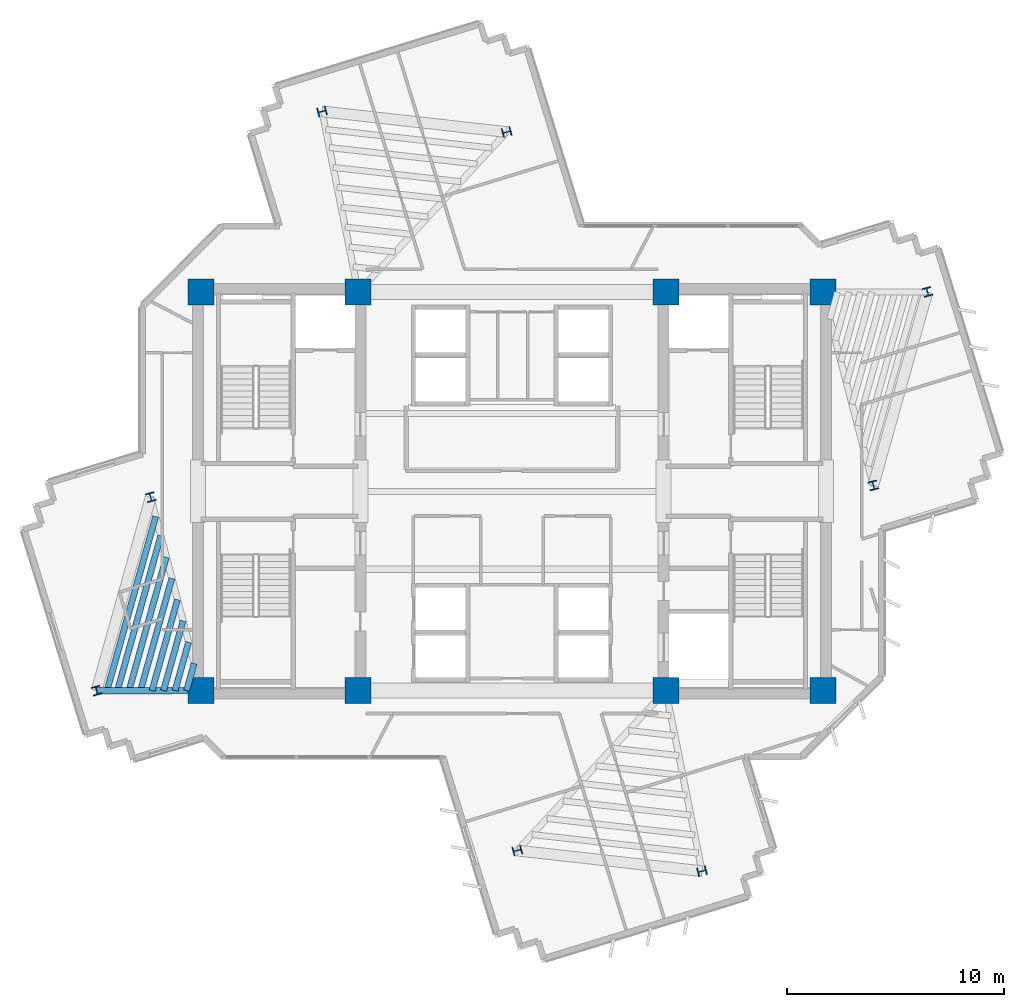
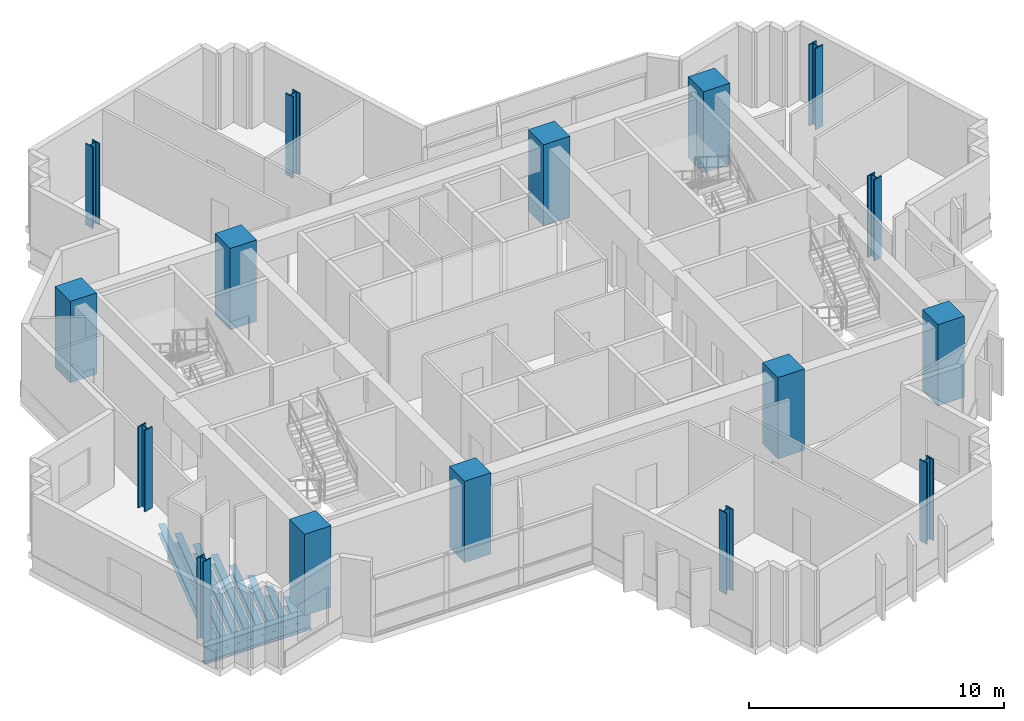
# One storey, part 1 of 13: 16 columns, 9 beams.
"""IFC4 building model written with IfcOpenShell, lengths in metres."""

from ifc_helpers import new_model, si_unit, direction, frame, origin, origin_2d, place, context, subcontext, project, spatial, rectangle, i_section, extrude, source, transform, mapped, material, material_profile, profile_set, type_object, element, save


model = new_model("IFC4")

# Units and contexts
model_context = context("Model", 3, precision=1e-05, world=origin(), true_north=direction((0.0, 1.0)))
body_context = subcontext(model_context, "Body", "Model", "MODEL_VIEW")
ifc_project = project(units=[si_unit("LENGTHUNIT", "METRE"), si_unit("AREAUNIT", "SQUARE_METRE"), si_unit("VOLUMEUNIT", "CUBIC_METRE"), si_unit("PLANEANGLEUNIT", "RADIAN"), si_unit("MASSUNIT", "GRAM", prefix="KILO")], contexts=[model_context])

# Site, building, storey
site_placement = place(None, origin())
site = spatial("IfcSite", under=ifc_project, at=site_placement, CompositionType="ELEMENT")
building_placement = place(site_placement, origin())
building = spatial("IfcBuilding", under=site, at=building_placement, Name="Zahravan Cultural Tower", CompositionType="ELEMENT")
storey_placement = place(building_placement, frame((0.0, 0.0, 217.5)))
storey = spatial("IfcBuildingStorey", under=building, at=storey_placement, Name="L51", CompositionType="ELEMENT", Elevation=217.5)

# Columns
ifc_material_1 = material(Name="Concrete C50/60", Category="concrete")
ifc_material_profile_1 = material_profile(ifc_material_1, rectangle(XDim=1.199951171875, YDim=1.199951171875, at=origin_2d()), Name="RC1200X1200")
ifc_profile_set_1 = profile_set([ifc_material_profile_1], Name="Concrete C50/60")
column_type_1 = type_object("IfcColumnType", Name="COL-RC1200", PredefinedType="COLUMN", material=ifc_profile_set_1)
shared_shape_1 = source(origin(), body_context, "Body", "SweptSolid", [
    extrude(rectangle(XDim=1.199951171875, YDim=1.199951171875, at=origin_2d()), origin(), (0.0, 0.0, 1.0), 3.89990234375),
])
for number, where, z_axis, x_axis, name in (
    (1, (21.64990234375, 17.800048828125, 0.0), (0.0, 0.0, 1.0), (1.0, 0.0, 0.0), "L51 Column CC-W1"),
    (2, (28.89990234375, 17.800048828125, 0.0), (0.0, 0.0, 1.0), (1.0, 0.0, 0.0), "L51 Column CC-W2"),
    (3, (21.64990234375, 36.199951171875, 0.0), (0.0, 0.0, 1.0), (1.0, 0.0, 0.0), "L51 Column CC-W3"),
    (4, (28.89990234375, 36.199951171875, 0.0), (0.0, 0.0, 1.0), (1.0, 0.0, 0.0), "L51 Column CC-W4"),
    (5, (43.10009765625, 17.800048828125, 0.0), (0.0, 0.0, 1.0), (1.0, 0.0, 0.0), "L51 Column CC-E1"),
    (6, (50.35009765625, 17.800048828125, 0.0), (0.0, 0.0, 1.0), (1.0, 0.0, 0.0), "L51 Column CC-E2"),
    (7, (43.10009765625, 36.199951171875, 0.0), (0.0, 0.0, 1.0), (1.0, 0.0, 0.0), "L51 Column CC-E3"),
    (8, (50.35009765625, 36.199951171875, 0.0), (0.0, 0.0, 1.0), (1.0, 0.0, 0.0), "L51 Column CC-E4"),
):
    element("IfcColumn", number, at=place(storey_placement, frame(where, z_axis=z_axis, x_axis=x_axis)), inside=storey, type_object=column_type_1, Name=name, PredefinedType="COLUMN", context=body_context, shape_type="MappedRepresentation", body=[
        mapped(shared_shape_1, transform((0.0, 0.0, 0.0), x_axis=(1.0, 0.0, 0.0), y_axis=(0.0, 1.0, 0.0), z_axis=(0.0, 0.0, 1.0), scale=1.0)),
    ])
ifc_material_2 = material(Name="Steel ASTM A992 Grade 50", Category="steel")
ifc_material_profile_2 = material_profile(ifc_material_2, i_section(OverallWidth=0.404052734375, OverallDepth=0.406982421875, WebThickness=0.027099609375, FlangeThickness=0.043701171875, FilletRadius=0.01806640625, at=origin_2d()), Name="W14X233")
ifc_profile_set_2 = profile_set([ifc_material_profile_2], Name="Steel ASTM A992 Grade 50")
column_type_2 = type_object("IfcColumnType", Name="COL-W14X233", PredefinedType="COLUMN", material=ifc_profile_set_2)
shared_shape_2 = source(origin(), body_context, "Body", "SweptSolid", [
    extrude(i_section(OverallWidth=0.404052734375, OverallDepth=0.406982421875, WebThickness=0.027099609375, FlangeThickness=0.043701171875, FilletRadius=0.01806640625, at=origin_2d()), origin(), (0.0, 0.0, 1.0), 3.89990234375),
])
for number, where, z_axis, x_axis, name in (
    (9, (52.684326171875, 27.27099609375, 0.0), (0.0, 0.0, 1.0), (0.966823388604, 0.255445757936, 0.0), "L51 Column Z2C-E1"),
    (10, (55.184814453125, 36.2060546875, 0.0), (0.0, 0.0, 1.0), (0.966823388604, 0.255445757936, 0.0), "L51 Column Z2C-E2"),
    (11, (35.754638671875, 43.587646484375, 0.0), (0.0, 0.0, 1.0), (-0.255445757936, 0.966823388604, 0.0), "L51 Column Z2C-N1"),
    (12, (27.22802734375, 44.541259765625, 0.0), (0.0, 0.0, 1.0), (-0.255445757936, 0.966823388604, 0.0), "L51 Column Z2C-N2"),
    (13, (19.315673828125, 26.72900390625, 0.0), (0.0, 0.0, 1.0), (0.966823388604, 0.255445757936, 0.0), "L51 Column Z2C-W1"),
    (14, (16.815185546875, 17.7939453125, 0.0), (0.0, 0.0, 1.0), (0.966823388604, 0.255445757936, 0.0), "L51 Column Z2C-W2"),
    (15, (36.245361328125, 10.412353515625, 0.0), (0.0, 0.0, 1.0), (-0.255445757936, 0.966823388604, 0.0), "L51 Column Z2C-S1"),
    (16, (44.77197265625, 9.458740234375, 0.0), (0.0, 0.0, 1.0), (-0.255445757936, 0.966823388604, 0.0), "L51 Column Z2C-S2"),
):
    element("IfcColumn", number, at=place(storey_placement, frame(where, z_axis=z_axis, x_axis=x_axis)), inside=storey, type_object=column_type_2, Name=name, PredefinedType="COLUMN", context=body_context, shape_type="MappedRepresentation", body=[
        mapped(shared_shape_2, transform((0.0, 0.0, 0.0), x_axis=(1.0, 0.0, 0.0), y_axis=(0.0, 1.0, 0.0), z_axis=(0.0, 0.0, 1.0), scale=1.0)),
    ])

# Beams
ifc_material_profile_3 = material_profile(ifc_material_2, i_section(OverallWidth=0.29296875, OverallDepth=0.845947265625, WebThickness=0.015380859375, FlangeThickness=0.0244140625, FilletRadius=0.02001953125, at=origin_2d()), Name="W33X141")
ifc_profile_set_3 = profile_set([ifc_material_profile_3], Name="Steel ASTM A992 Grade 50")
beam_type_1 = type_object("IfcBeamType", Name="BM-G-W33X141", PredefinedType="BEAM", material=ifc_profile_set_3)
shared_shape_3 = source(origin(), body_context, "Body", "SweptSolid", [
    extrude(i_section(OverallWidth=0.29296875, OverallDepth=0.845947265625, WebThickness=0.015380859375, FlangeThickness=0.0244140625, FilletRadius=0.02001953125, at=origin_2d()), origin(), (0.0, 0.0, 1.0), 4.834716796875),
])
beam_1_placement = place(storey_placement, frame((21.64990234375, 17.800048828125, -0.702880859375), z_axis=(-0.99999920313, -0.001262433979, 0.0), x_axis=(0.001262433979, -0.99999920313, 0.0)))
element("IfcBeam", 17, at=beam_1_placement, inside=storey, type_object=beam_type_1, Name="L51 Beam BG-L51-08", PredefinedType="BEAM", context=body_context, shape_type="MappedRepresentation", body=[
    mapped(shared_shape_3, transform((0.0, 0.0, 0.0), x_axis=(1.0, 0.0, 0.0), y_axis=(0.0, 1.0, 0.0), z_axis=(0.0, 0.0, 1.0), scale=1.0)),
])
ifc_material_profile_4 = material_profile(ifc_material_2, i_section(OverallWidth=0.280029296875, OverallDepth=0.462890625, WebThickness=0.0107421875, FlangeThickness=0.017333984375, FilletRadius=0.012939453125, at=origin_2d()), Name="W18X76")
ifc_profile_set_4 = profile_set([ifc_material_profile_4], Name="Steel ASTM A992 Grade 50")
beam_type_2 = type_object("IfcBeamType", Name="BM-J-W18X76", PredefinedType="JOIST", material=ifc_profile_set_4)
shared_shape_4 = source(origin(), body_context, "Body", "SweptSolid", [
    extrude(i_section(OverallWidth=0.280029296875, OverallDepth=0.462890625, WebThickness=0.0107421875, FlangeThickness=0.017333984375, FilletRadius=0.012939453125, at=origin_2d()), origin(), (0.0, 0.0, 1.0), 1.299072265625),
])
beam_2_placement = place(storey_placement, frame((21.3232421875, 19.050048828125, -0.511474609375), z_axis=(-0.269504444708, -0.962999145525, 0.0), x_axis=(0.962999145525, -0.269504444708, 0.0)))
element("IfcBeam", 18, at=beam_2_placement, inside=storey, type_object=beam_type_2, Name="L51 Beam BJ-L51-22", PredefinedType="JOIST", context=body_context, shape_type="MappedRepresentation", body=[
    mapped(shared_shape_4, transform((0.0, 0.0, 0.0), x_axis=(1.0, 0.0, 0.0), y_axis=(0.0, 1.0, 0.0), z_axis=(0.0, 0.0, 1.0), scale=1.0)),
])
shared_shape_5 = source(origin(), body_context, "Body", "SweptSolid", [
    extrude(i_section(OverallWidth=0.280029296875, OverallDepth=0.462890625, WebThickness=0.0107421875, FlangeThickness=0.017333984375, FilletRadius=0.012939453125, at=origin_2d()), origin(), (0.0, 0.0, 1.0), 2.3193359375),
])
beam_3_placement = place(storey_placement, frame((21.06640625, 20.0322265625, -0.511474609375), z_axis=(-0.269462038626, -0.963011012263, 0.0), x_axis=(0.963011012263, -0.269462038626, 0.0)))
element("IfcBeam", 19, at=beam_3_placement, inside=storey, type_object=beam_type_2, Name="L51 Beam BJ-L51-23", PredefinedType="JOIST", context=body_context, shape_type="MappedRepresentation", body=[
    mapped(shared_shape_5, transform((0.0, 0.0, 0.0), x_axis=(1.0, 0.0, 0.0), y_axis=(0.0, 1.0, 0.0), z_axis=(0.0, 0.0, 1.0), scale=1.0)),
])
shared_shape_6 = source(origin(), body_context, "Body", "SweptSolid", [
    extrude(i_section(OverallWidth=0.280029296875, OverallDepth=0.462890625, WebThickness=0.0107421875, FlangeThickness=0.017333984375, FilletRadius=0.012939453125, at=origin_2d()), origin(), (0.0, 0.0, 1.0), 3.340087890625),
])
beam_4_placement = place(storey_placement, frame((20.809814453125, 21.014404296875, -0.511474609375), z_axis=(-0.269562146951, -0.962982995141, 0.0), x_axis=(0.962982995141, -0.269562146951, 0.0)))
element("IfcBeam", 20, at=beam_4_placement, inside=storey, type_object=beam_type_2, Name="L51 Beam BJ-L51-24", PredefinedType="JOIST", context=body_context, shape_type="MappedRepresentation", body=[
    mapped(shared_shape_6, transform((0.0, 0.0, 0.0), x_axis=(1.0, 0.0, 0.0), y_axis=(0.0, 1.0, 0.0), z_axis=(0.0, 0.0, 1.0), scale=1.0)),
])
shared_shape_7 = source(origin(), body_context, "Body", "SweptSolid", [
    extrude(i_section(OverallWidth=0.280029296875, OverallDepth=0.462890625, WebThickness=0.0107421875, FlangeThickness=0.017333984375, FilletRadius=0.012939453125, at=origin_2d()), origin(), (0.0, 0.0, 1.0), 4.36083984375),
])
beam_5_placement = place(storey_placement, frame((20.552978515625, 21.99658203125, -0.511474609375), z_axis=(-0.269511557673, -0.962997154866, 0.0), x_axis=(0.962997154866, -0.269511557673, 0.0)))
element("IfcBeam", 21, at=beam_5_placement, inside=storey, type_object=beam_type_2, Name="L51 Beam BJ-L51-25", PredefinedType="JOIST", context=body_context, shape_type="MappedRepresentation", body=[
    mapped(shared_shape_7, transform((0.0, 0.0, 0.0), x_axis=(1.0, 0.0, 0.0), y_axis=(0.0, 1.0, 0.0), z_axis=(0.0, 0.0, 1.0), scale=1.0)),
])
shared_shape_8 = source(origin(), body_context, "Body", "SweptSolid", [
    extrude(i_section(OverallWidth=0.280029296875, OverallDepth=0.462890625, WebThickness=0.0107421875, FlangeThickness=0.017333984375, FilletRadius=0.012939453125, at=origin_2d()), origin(), (0.0, 0.0, 1.0), 5.3818359375),
])
beam_6_placement = place(storey_placement, frame((20.296142578125, 22.97900390625, -0.511474609375), z_axis=(-0.269510454638, -0.962997463569, 0.0), x_axis=(0.962997463569, -0.269510454638, 0.0)))
element("IfcBeam", 22, at=beam_6_placement, inside=storey, type_object=beam_type_2, Name="L51 Beam BJ-L51-26", PredefinedType="JOIST", context=body_context, shape_type="MappedRepresentation", body=[
    mapped(shared_shape_8, transform((0.0, 0.0, 0.0), x_axis=(1.0, 0.0, 0.0), y_axis=(0.0, 1.0, 0.0), z_axis=(0.0, 0.0, 1.0), scale=1.0)),
])
shared_shape_9 = source(origin(), body_context, "Body", "SweptSolid", [
    extrude(i_section(OverallWidth=0.280029296875, OverallDepth=0.462890625, WebThickness=0.0107421875, FlangeThickness=0.017333984375, FilletRadius=0.012939453125, at=origin_2d()), origin(), (0.0, 0.0, 1.0), 6.402099609375),
])
beam_7_placement = place(storey_placement, frame((20.039306640625, 23.961181640625, -0.511474609375), z_axis=(-0.269494133533, -0.963002031146, 0.0), x_axis=(0.963002031146, -0.269494133533, 0.0)))
element("IfcBeam", 23, at=beam_7_placement, inside=storey, type_object=beam_type_2, Name="L51 Beam BJ-L51-27", PredefinedType="JOIST", context=body_context, shape_type="MappedRepresentation", body=[
    mapped(shared_shape_9, transform((0.0, 0.0, 0.0), x_axis=(1.0, 0.0, 0.0), y_axis=(0.0, 1.0, 0.0), z_axis=(0.0, 0.0, 1.0), scale=1.0)),
])
shared_shape_10 = source(origin(), body_context, "Body", "SweptSolid", [
    extrude(i_section(OverallWidth=0.280029296875, OverallDepth=0.462890625, WebThickness=0.0107421875, FlangeThickness=0.017333984375, FilletRadius=0.012939453125, at=origin_2d()), origin(), (0.0, 0.0, 1.0), 7.4228515625),
])
beam_8_placement = place(storey_placement, frame((19.78271484375, 24.943359375, -0.511474609375), z_axis=(-0.269504266128, -0.962999195503, 0.0), x_axis=(0.962999195503, -0.269504266128, 0.0)))
element("IfcBeam", 24, at=beam_8_placement, inside=storey, type_object=beam_type_2, Name="L51 Beam BJ-L51-28", PredefinedType="JOIST", context=body_context, shape_type="MappedRepresentation", body=[
    mapped(shared_shape_10, transform((0.0, 0.0, 0.0), x_axis=(1.0, 0.0, 0.0), y_axis=(0.0, 1.0, 0.0), z_axis=(0.0, 0.0, 1.0), scale=1.0)),
])
shared_shape_11 = source(origin(), body_context, "Body", "SweptSolid", [
    extrude(i_section(OverallWidth=0.280029296875, OverallDepth=0.462890625, WebThickness=0.0107421875, FlangeThickness=0.017333984375, FilletRadius=0.012939453125, at=origin_2d()), origin(), (0.0, 0.0, 1.0), 8.350830078125),
])
beam_9_placement = place(storey_placement, frame((19.549072265625, 25.836181640625, -0.511474609375), z_axis=(-0.269496539555, -0.963001357822, 0.0), x_axis=(0.963001357822, -0.269496539555, 0.0)))
element("IfcBeam", 25, at=beam_9_placement, inside=storey, type_object=beam_type_2, Name="L51 Beam BJ-L51-29", PredefinedType="JOIST", context=body_context, shape_type="MappedRepresentation", body=[
    mapped(shared_shape_11, transform((0.0, 0.0, 0.0), x_axis=(1.0, 0.0, 0.0), y_axis=(0.0, 1.0, 0.0), z_axis=(0.0, 0.0, 1.0), scale=1.0)),
])

save(model, "model.ifc")
